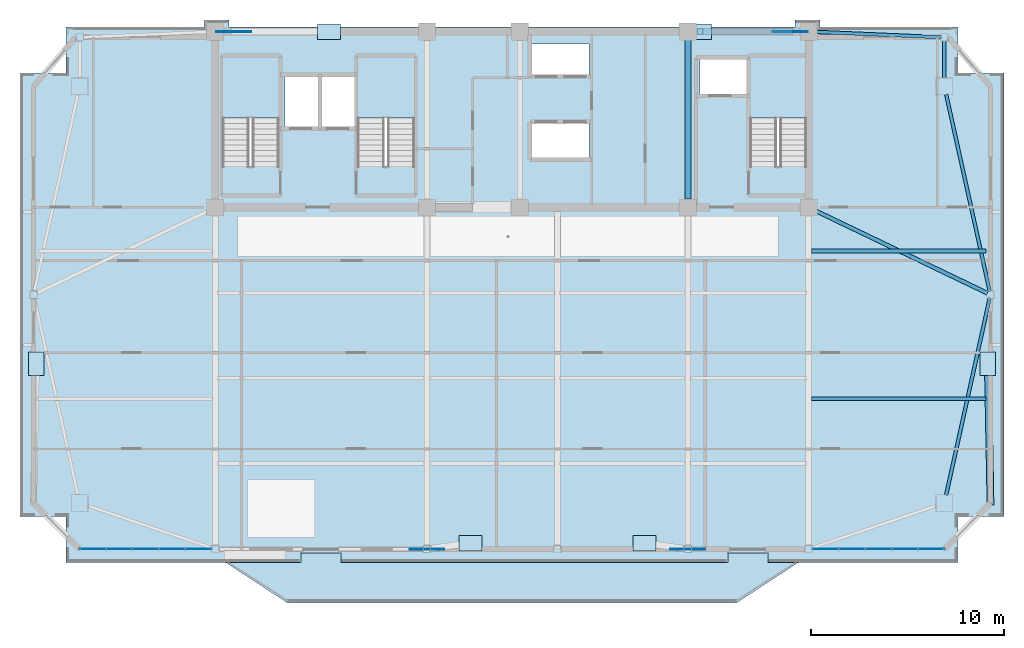
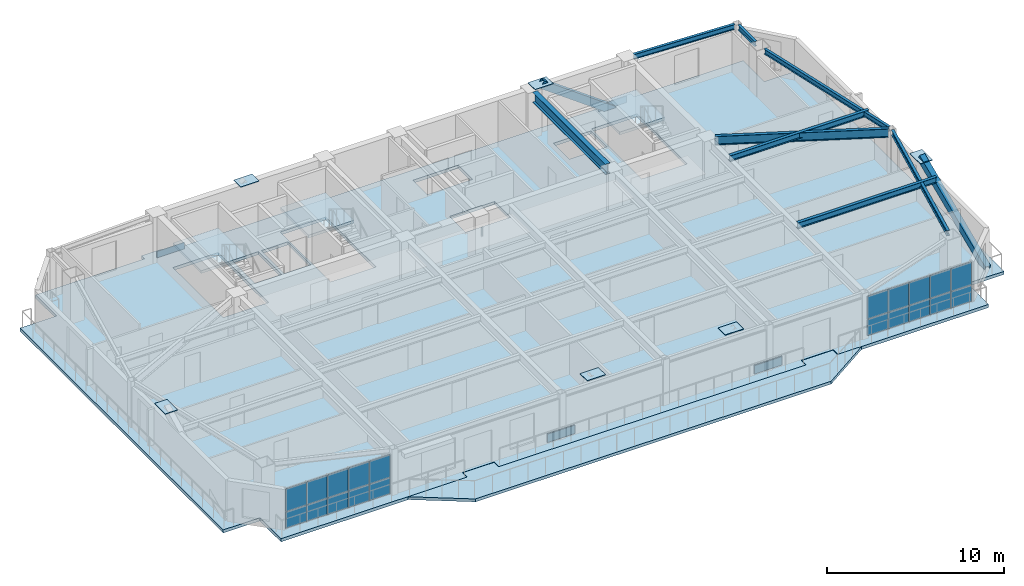
# One storey, part 5 of 13: 30 plates, 8 beams, 5 slabs, 2 members, 5 elements without a shape of their own.
"""IFC4 building model written with IfcOpenShell, lengths in metres."""

from ifc_helpers import new_model, si_unit, direction, frame, origin, origin_2d, place, context, subcontext, project, spatial, polyline, rectangle, hollow_rectangle, i_section, outline, extrude, source, transform, mapped, material, layer, layer_set, material_profile, profile_set, type_object, element, aggregate, save


model = new_model("IFC4")

# Units and contexts
model_context = context("Model", 3, precision=1e-05, world=origin(), true_north=direction((0.0, 1.0)))
body_context = subcontext(model_context, "Body", "Model", "MODEL_VIEW")
ifc_project = project(units=[si_unit("LENGTHUNIT", "METRE"), si_unit("AREAUNIT", "SQUARE_METRE"), si_unit("VOLUMEUNIT", "CUBIC_METRE"), si_unit("PLANEANGLEUNIT", "RADIAN"), si_unit("MASSUNIT", "GRAM", prefix="KILO")], contexts=[model_context])

# Site, building, storey
site_placement = place(None, origin())
site = spatial("IfcSite", under=ifc_project, at=site_placement, CompositionType="ELEMENT")
building_placement = place(site_placement, origin())
building = spatial("IfcBuilding", under=site, at=building_placement, Name="Giltprow Tower", CompositionType="ELEMENT")
storey_placement = place(building_placement, frame((0.0, 0.0, 304.0)))
storey = spatial("IfcBuildingStorey", under=building, at=storey_placement, Name="L78", CompositionType="ELEMENT", Elevation=304.0)

# Beams
ifc_material_1 = material(Name="Structural steel Q355B", Category="steel")
ifc_material_profile_1 = material_profile(ifc_material_1, i_section(OverallWidth=0.300048828125, OverallDepth=0.699951171875, WebThickness=0.012939453125, FlangeThickness=0.02392578125, at=origin_2d()), Name="HN 700x300x13x24")
ifc_profile_set_1 = profile_set([ifc_material_profile_1], Name="Structural steel Q355B")
beam_type_1 = type_object("IfcBeamType", Name="BM-GIRD-HN700", PredefinedType="BEAM", material=ifc_profile_set_1)
shared_shape_1 = source(origin(), body_context, "Body", "SweptSolid", [
    extrude(i_section(OverallWidth=0.300048828125, OverallDepth=0.699951171875, WebThickness=0.012939453125, FlangeThickness=0.02392578125, at=origin_2d()), origin(), (0.0, 0.0, 1.0), 8.22998046875),
])
beam_1_placement = place(storey_placement, frame((44.300048828125, 37.885009765625, 2.8349609375), z_axis=(0.0, 1.0, 0.0), x_axis=(-1.0, 0.0, 0.0)))
element("IfcBeam", 1, at=beam_1_placement, inside=storey, type_object=beam_type_1, Name="L78 Core Tie Girder M3", PredefinedType="BEAM", context=body_context, shape_type="MappedRepresentation", body=[
    mapped(shared_shape_1, transform((0.0, 0.0, 0.0), x_axis=(1.0, 0.0, 0.0), y_axis=(0.0, 1.0, 0.0), z_axis=(0.0, 0.0, 1.0), scale=1.0)),
])
ifc_material_profile_2 = material_profile(ifc_material_1, i_section(OverallWidth=0.199951171875, OverallDepth=0.39990234375, WebThickness=0.008056640625, FlangeThickness=0.012939453125, at=origin_2d()), Name="HN 400x200x8x13")
ifc_profile_set_2 = profile_set([ifc_material_profile_2], Name="Structural steel Q355B")
beam_type_2 = type_object("IfcBeamType", Name="BM-JOIST-HN400", PredefinedType="JOIST", material=ifc_profile_set_2)
shared_shape_2 = source(origin(), body_context, "Body", "SweptSolid", [
    extrude(i_section(OverallWidth=0.199951171875, OverallDepth=0.39990234375, WebThickness=0.008056640625, FlangeThickness=0.012939453125, at=origin_2d()), origin(), (0.0, 0.0, 1.0), 9.044921875),
])
for number, where, z_axis, x_axis, name in (
    (2, (50.695068359375, 27.547119140625, 2.985107421875), (1.0, 0.0, 0.0), (0.0, 1.0, 0.0), "L78 East Wing Floor Joist 1"),
    (3, (50.695068359375, 35.193115234375, 2.985107421875), (1.0, 0.0, 0.0), (0.0, 1.0, 0.0), "L78 East Wing Floor Joist 2"),
):
    element("IfcBeam", number, at=place(storey_placement, frame(where, z_axis=z_axis, x_axis=x_axis)), inside=storey, type_object=beam_type_2, Name=name, PredefinedType="JOIST", context=body_context, shape_type="MappedRepresentation", body=[
        mapped(shared_shape_2, transform((0.0, 0.0, 0.0), x_axis=(1.0, 0.0, 0.0), y_axis=(0.0, 1.0, 0.0), z_axis=(0.0, 0.0, 1.0), scale=1.0)),
    ])
ifc_material_profile_3 = material_profile(ifc_material_1, i_section(OverallWidth=0.175048828125, OverallDepth=0.35009765625, WebThickness=0.007080078125, FlangeThickness=0.010986328125, at=origin_2d()), Name="HN 350x175x7x11")
ifc_profile_set_3 = profile_set([ifc_material_profile_3], Name="Structural steel Q355B")
beam_type_3 = type_object("IfcBeamType", Name="BM-SPAN-HN350", PredefinedType="SPANDREL", material=ifc_profile_set_3)
shared_shape_3 = source(origin(), body_context, "Body", "SweptSolid", [
    extrude(i_section(OverallWidth=0.175048828125, OverallDepth=0.35009765625, WebThickness=0.007080078125, FlangeThickness=0.010986328125, at=origin_2d()), origin(), (0.0, 0.0, 1.0), 10.4189453125),
])
beam_2_placement = place(storey_placement, frame((57.6689453125, 22.58203125, 3.010009765625), z_axis=(0.216047103841, 0.976382941741, 0.0), x_axis=(-0.976382941741, 0.216047103841, 0.0)))
element("IfcBeam", 4, at=beam_2_placement, inside=storey, type_object=beam_type_3, Name="L78 Perimeter Spandrel Beam MC_SE-E_MID", PredefinedType="SPANDREL", context=body_context, shape_type="MappedRepresentation", body=[
    mapped(shared_shape_3, transform((0.0, 0.0, 0.0), x_axis=(1.0, 0.0, 0.0), y_axis=(0.0, 1.0, 0.0), z_axis=(0.0, 0.0, 1.0), scale=1.0)),
])
shared_shape_4 = source(origin(), body_context, "Body", "SweptSolid", [
    extrude(i_section(OverallWidth=0.175048828125, OverallDepth=0.35009765625, WebThickness=0.007080078125, FlangeThickness=0.010986328125, at=origin_2d()), origin(), (0.0, 0.0, 1.0), 10.419189453125),
])
beam_3_placement = place(storey_placement, frame((59.919921875, 33.116943359375, 3.010009765625), z_axis=(-0.216042161002, 0.976384035444, 0.0), x_axis=(-0.976384035444, -0.216042161002, 0.0)))
element("IfcBeam", 5, at=beam_3_placement, inside=storey, type_object=beam_type_3, Name="L78 Perimeter Spandrel Beam E_MID-MC_NE", PredefinedType="SPANDREL", context=body_context, shape_type="MappedRepresentation", body=[
    mapped(shared_shape_4, transform((0.0, 0.0, 0.0), x_axis=(1.0, 0.0, 0.0), y_axis=(0.0, 1.0, 0.0), z_axis=(0.0, 0.0, 1.0), scale=1.0)),
])
shared_shape_5 = source(origin(), body_context, "Body", "SweptSolid", [
    extrude(i_section(OverallWidth=0.175048828125, OverallDepth=0.35009765625, WebThickness=0.007080078125, FlangeThickness=0.010986328125, at=origin_2d()), origin(), (0.0, 0.0, 1.0), 1.9150390625),
])
beam_4_placement = place(storey_placement, frame((57.574951171875, 44.14990234375, 3.010009765625), z_axis=(0.0, 1.0, 0.0), x_axis=(-1.0, 0.0, 0.0)))
element("IfcBeam", 6, at=beam_4_placement, inside=storey, type_object=beam_type_3, Name="L78 Perimeter Spandrel Beam MC_NE-N_E", PredefinedType="SPANDREL", context=body_context, shape_type="MappedRepresentation", body=[
    mapped(shared_shape_5, transform((0.0, 0.0, 0.0), x_axis=(1.0, 0.0, 0.0), y_axis=(0.0, 1.0, 0.0), z_axis=(0.0, 0.0, 1.0), scale=1.0)),
])
shared_shape_6 = source(origin(), body_context, "Body", "SweptSolid", [
    extrude(i_section(OverallWidth=0.175048828125, OverallDepth=0.35009765625, WebThickness=0.007080078125, FlangeThickness=0.010986328125, at=origin_2d()), origin(), (0.0, 0.0, 1.0), 6.41064453125),
])
beam_5_placement = place(storey_placement, frame((50.985107421875, 46.531005859375, 3.010009765625), z_axis=(0.99909315406, -0.042577805376, 0.0), x_axis=(0.042577805376, 0.99909315406, 0.0)))
element("IfcBeam", 7, at=beam_5_placement, inside=storey, type_object=beam_type_3, Name="L78 North Wing Spandrel E", PredefinedType="SPANDREL", context=body_context, shape_type="MappedRepresentation", body=[
    mapped(shared_shape_6, transform((0.0, 0.0, 0.0), x_axis=(1.0, 0.0, 0.0), y_axis=(0.0, 1.0, 0.0), z_axis=(0.0, 0.0, 1.0), scale=1.0)),
])
ifc_material_profile_4 = material_profile(ifc_material_1, i_section(OverallWidth=0.199951171875, OverallDepth=0.60009765625, WebThickness=0.010986328125, FlangeThickness=0.01708984375, at=origin_2d()), Name="HN 600x200x11x17")
ifc_profile_set_4 = profile_set([ifc_material_profile_4], Name="Structural steel Q355B")
beam_type_4 = type_object("IfcBeamType", Name="BM-GIRD-HN600", PredefinedType="BEAM", material=ifc_profile_set_4)
shared_shape_7 = source(origin(), body_context, "Body", "SweptSolid", [
    extrude(i_section(OverallWidth=0.199951171875, OverallDepth=0.60009765625, WebThickness=0.010986328125, FlangeThickness=0.01708984375, at=origin_2d()), origin(), (0.0, 0.0, 1.0), 9.816650390625),
])
beam_6_placement = place(storey_placement, frame((59.79296875, 33.01611328125, 2.885009765625), z_axis=(-0.901628977648, 0.432510331281, 0.0), x_axis=(-0.432510331281, -0.901628977648, 0.0)))
element("IfcBeam", 8, at=beam_6_placement, inside=storey, type_object=beam_type_4, Name="L78 East Wing Primary Girder", PredefinedType="BEAM", context=body_context, shape_type="MappedRepresentation", body=[
    mapped(shared_shape_7, transform((0.0, 0.0, 0.0), x_axis=(1.0, 0.0, 0.0), y_axis=(0.0, 1.0, 0.0), z_axis=(0.0, 0.0, 1.0), scale=1.0)),
])

# Members
ifc_material_2 = material(Name="Structural steel Q420GJC", Category="steel")
ifc_material_profile_5 = material_profile(ifc_material_2, hollow_rectangle(XDim=0.35009765625, YDim=0.5, WallThickness=0.02392578125, at=origin_2d()), Name="RHS 500x350x24")
ifc_profile_set_5 = profile_set([ifc_material_profile_5], Name="Structural steel Q420GJC")
member_type = type_object("IfcMemberType", Name="MBR-MEGA-RHS500", PredefinedType="BRACE", material=ifc_profile_set_5)
shared_shape_8 = source(origin(), body_context, "Body", "SweptSolid", [
    extrude(hollow_rectangle(XDim=0.35009765625, YDim=0.5, WallThickness=0.02392578125, at=origin_2d()), origin(), (0.0, 0.0, 1.0), 5.774169921875),
])
member_1_placement = place(storey_placement, frame((49.60009765625, 46.550048828125, -0.139892578125), z_axis=(-0.808264093398, 0.0, 0.588820138348), x_axis=(0.0, -1.0, 0.0)))
element("IfcMember", 9, at=member_1_placement, inside=storey, type_object=member_type, Name="L78 Chevron Mega-Brace N-R", PredefinedType="BRACE", context=body_context, shape_type="MappedRepresentation", body=[
    mapped(shared_shape_8, transform((0.0, 0.0, 0.0), x_axis=(1.0, 0.0, 0.0), y_axis=(0.0, 1.0, 0.0), z_axis=(0.0, 0.0, 1.0), scale=1.0)),
])
shared_shape_9 = source(origin(), body_context, "Body", "SweptSolid", [
    extrude(hollow_rectangle(XDim=0.35009765625, YDim=0.5, WallThickness=0.02392578125, at=origin_2d()), origin(), (0.0, 0.0, 1.0), 7.96533203125),
])
member_2_placement = place(storey_placement, frame((59.9599609375, 22.156982421875, 0.0), z_axis=(-0.017317575888, 0.90416136483, 0.426839932426), x_axis=(-0.999816628075, -0.019149679476, 0.0)))
element("IfcMember", 10, at=member_2_placement, inside=storey, type_object=member_type, Name="L78 Chevron Mega-Brace E-D", PredefinedType="BRACE", context=body_context, shape_type="MappedRepresentation", body=[
    mapped(shared_shape_9, transform((0.0, 0.0, 0.0), x_axis=(1.0, 0.0, 0.0), y_axis=(0.0, 1.0, 0.0), z_axis=(0.0, 0.0, 1.0), scale=1.0)),
])

# Slabs
ifc_material_3 = material(Name="Concrete C40", Category="concrete")
ifc_layer_1 = layer(ifc_material_3, 0.199951171875, Name="Concrete C40")
ifc_layer_set_1 = layer_set([ifc_layer_1], Name="Concrete C40")
slab_type_1 = type_object("IfcSlabType", Name="SLB-BALC-BRONZE-200", PredefinedType="FLOOR", material=ifc_layer_set_1)
slab_1_placement = place(storey_placement, frame((0.0, 0.0, -0.199951171875)))
element("IfcSlab", 11, at=slab_1_placement, inside=storey, type_object=slab_type_1, Name="L78 Bronze Prow Waterfront Balcony Slab", PredefinedType="FLOOR", context=body_context, shape_type="SweptSolid", body=[
    extrude(outline(polyline([(50.0, 19.072021484375), (46.800048828125, 16.971923828125), (23.60009765625, 16.971923828125), (20.39990234375, 19.072021484375), (24.280029296875, 19.072021484375), (24.280029296875, 19.572021484375), (26.320068359375, 19.572021484375), (26.320068359375, 19.072021484375), (46.3798828125, 19.072021484375), (46.3798828125, 19.572021484375), (48.419921875, 19.572021484375), (48.419921875, 19.072021484375), (50.0, 19.072021484375)])), origin(), (0.0, 0.0, 1.0), 0.199951171875),
])
ifc_layer_2 = layer(ifc_material_3, 0.215087890625, Name="Concrete C40")
ifc_layer_set_2 = layer_set([ifc_layer_2], Name="Concrete C40")
slab_type_2 = type_object("IfcSlabType", Name="SLB-RES-215", PredefinedType="FLOOR", material=ifc_layer_set_2)
slab_2_placement = place(storey_placement, frame((0.0, 0.0, -0.215087890625)))
element("IfcSlab", 12, at=slab_2_placement, inside=storey, type_object=slab_type_2, Name="L78 Structural Composite Floor Slab", PredefinedType="FLOOR", context=body_context, shape_type="SweptSolid", body=[
    extrude(outline(polyline([(60.659912109375, 44.4150390625), (60.659912109375, 21.45703125), (58.27587890625, 21.45703125), (58.27587890625, 19.072021484375), (48.449951171875, 19.072021484375), (48.449951171875, 19.592041015625), (46.35009765625, 19.592041015625), (46.35009765625, 19.072021484375), (26.35009765625, 19.072021484375), (26.35009765625, 19.592041015625), (24.25, 19.592041015625), (24.25, 19.072021484375), (12.125, 19.072021484375), (12.125, 21.45703125), (9.739990234375, 21.45703125), (9.739990234375, 44.4150390625), (12.125, 44.4150390625), (12.125, 46.800048828125), (19.25, 46.800048828125), (19.25, 47.14990234375), (20.550048828125, 47.14990234375), (20.550048828125, 46.800048828125), (49.85009765625, 46.800048828125), (49.85009765625, 47.14990234375), (51.14990234375, 47.14990234375), (51.14990234375, 46.800048828125), (58.27587890625, 46.800048828125), (58.27587890625, 44.4150390625), (60.659912109375, 44.4150390625)]), holes=[polyline([(39.18994140625, 41.800048828125), (36.239990234375, 41.800048828125), (36.239990234375, 40.0), (39.18994140625, 40.0), (39.18994140625, 41.800048828125)]), polyline([(23.159912109375, 39.570068359375), (23.159912109375, 45.25), (20.199951171875, 45.25), (20.199951171875, 39.570068359375), (23.159912109375, 39.570068359375)]), polyline([(30.159912109375, 39.570068359375), (30.159912109375, 45.25), (27.199951171875, 45.25), (27.199951171875, 39.570068359375), (30.159912109375, 39.570068359375)]), polyline([(50.4599609375, 45.25), (47.5, 45.25), (47.5, 39.570068359375), (50.4599609375, 39.570068359375), (50.4599609375, 45.25)]), polyline([(25.169921875, 44.199951171875), (23.449951171875, 44.199951171875), (23.449951171875, 41.60009765625), (25.169921875, 41.60009765625), (25.169921875, 44.199951171875)]), polyline([(27.10009765625, 44.199951171875), (25.35009765625, 44.199951171875), (25.35009765625, 41.60009765625), (27.10009765625, 41.60009765625), (27.10009765625, 44.199951171875)]), polyline([(47.3798828125, 43.300048828125), (47.3798828125, 45.10009765625), (44.919921875, 45.10009765625), (44.919921875, 43.300048828125), (47.3798828125, 43.300048828125)]), polyline([(39.18994140625, 44.300048828125), (39.18994140625, 45.919921875), (36.239990234375, 45.919921875), (36.239990234375, 44.300048828125), (39.18994140625, 44.300048828125)])]), origin(), (0.0, 0.0, 1.0), 0.215087890625),
])

# Stair, slab
stair_type_1 = type_object("IfcStairType", Name="STR-ST-1", PredefinedType="HALF_TURN_STAIR", material=ifc_material_3)
stair_1_placement = place(storey_placement, origin())
stair_1 = element("IfcStair", 13, at=stair_1_placement, inside=storey, type_object=stair_type_1, Name="L78 Core Exit Stair ST-1", PredefinedType="HALF_TURN_STAIR")
ifc_layer_3 = layer(ifc_material_3, 0.179931640625, Name="Concrete C40")
ifc_layer_set_3 = layer_set([ifc_layer_3], Name="Concrete C40")
slab_type_3 = type_object("IfcSlabType", Name="SLD-ST-1", PredefinedType="LANDING", material=ifc_layer_set_3)
slab_3_placement = place(storey_placement, frame((0.0, 0.0, 1.52001953125)))
slab_3 = element("IfcSlab", 14, at=slab_3_placement, type_object=slab_type_3, Name="ST-1 landing 1", PredefinedType="LANDING", context=body_context, shape_type="SweptSolid", body=[
    extrude(outline(polyline([(23.159912109375, 42.070068359375), (23.159912109375, 45.25), (20.199951171875, 45.25), (20.199951171875, 42.070068359375), (23.159912109375, 42.070068359375)])), origin(), (0.0, 0.0, 1.0), 0.179931640625),
])
aggregate(stair_1, [slab_3])

stair_type_2 = type_object("IfcStairType", Name="STR-ST-2", PredefinedType="HALF_TURN_STAIR", material=ifc_material_3)
stair_2_placement = place(storey_placement, origin())
stair_2 = element("IfcStair", 15, at=stair_2_placement, inside=storey, type_object=stair_type_2, Name="L78 Core Exit Stair ST-2", PredefinedType="HALF_TURN_STAIR")
ifc_layer_4 = layer(ifc_material_3, 0.18798828125, Name="Concrete C40")
ifc_layer_set_4 = layer_set([ifc_layer_4], Name="Concrete C40")
slab_type_4 = type_object("IfcSlabType", Name="SLD-ST-2", PredefinedType="LANDING", material=ifc_layer_set_4)
slab_4_placement = place(storey_placement, frame((0.0, 0.0, 1.511962890625)))
slab_4 = element("IfcSlab", 16, at=slab_4_placement, type_object=slab_type_4, Name="ST-2 landing 1", PredefinedType="LANDING", context=body_context, shape_type="SweptSolid", body=[
    extrude(outline(polyline([(30.159912109375, 42.070068359375), (30.159912109375, 45.25), (27.199951171875, 45.25), (27.199951171875, 42.070068359375), (30.159912109375, 42.070068359375)])), origin(), (0.0, 0.0, 1.0), 0.18798828125),
])
aggregate(stair_2, [slab_4])

stair_type_3 = type_object("IfcStairType", Name="STR-ST-3", PredefinedType="HALF_TURN_STAIR", material=ifc_material_3)
stair_3_placement = place(storey_placement, origin())
stair_3 = element("IfcStair", 17, at=stair_3_placement, inside=storey, type_object=stair_type_3, Name="L78 Core Exit Stair ST-3", PredefinedType="HALF_TURN_STAIR")
ifc_layer_5 = layer(ifc_material_3, 0.196044921875, Name="Concrete C40")
ifc_layer_set_5 = layer_set([ifc_layer_5], Name="Concrete C40")
slab_type_5 = type_object("IfcSlabType", Name="SLD-ST-3", PredefinedType="LANDING", material=ifc_layer_set_5)
slab_5_placement = place(storey_placement, frame((0.0, 0.0, 1.50390625)))
slab_5 = element("IfcSlab", 18, at=slab_5_placement, type_object=slab_type_5, Name="ST-3 landing 1", PredefinedType="LANDING", context=body_context, shape_type="SweptSolid", body=[
    extrude(outline(polyline([(50.4599609375, 42.070068359375), (50.4599609375, 45.25), (47.5, 45.25), (47.5, 42.070068359375), (50.4599609375, 42.070068359375)])), origin(), (0.0, 0.0, 1.0), 0.196044921875),
])
aggregate(stair_3, [slab_5])

# Plates
plate_type_1 = type_object("IfcPlateType", Name="PLT-NODE-MBN1", PredefinedType="USERDEFINED", material=ifc_material_2)
shared_shape_10 = source(origin(), body_context, "Body", "SweptSolid", [
    extrude(rectangle(XDim=1.800048828125, YDim=0.050048828125, at=origin_2d()), origin(), (0.0, 0.0, 1.0), 1.14990234375),
])
for number, where, z_axis, x_axis, name in (
    (19, (30.800048828125, 19.77197265625, -0.574951171875), (0.0, 0.0, 1.0), (1.0, 0.0, 0.0), "Mega-Brace Node L78-S-LA"),
    (20, (44.300048828125, 19.77197265625, -0.574951171875), (0.0, 0.0, 1.0), (1.0, 0.0, 0.0), "Mega-Brace Node L78-S-RA"),
    (21, (20.800048828125, 46.550048828125, -0.71484375), (0.0, 0.0, 1.0), (1.0, 0.0, 0.0), "Mega-Brace Node L78-N-LA"),
    (22, (49.60009765625, 46.550048828125, -0.71484375), (0.0, 0.0, 1.0), (1.0, 0.0, 0.0), "Mega-Brace Node L78-N-RA"),
):
    element("IfcPlate", number, at=place(storey_placement, frame(where, z_axis=z_axis, x_axis=x_axis)), inside=storey, type_object=plate_type_1, Name=name, ObjectType="GUSSET", PredefinedType="USERDEFINED", context=body_context, shape_type="MappedRepresentation", body=[
        mapped(shared_shape_10, transform((0.0, 0.0, 0.0), x_axis=(1.0, 0.0, 0.0), y_axis=(0.0, 1.0, 0.0), z_axis=(0.0, 0.0, 1.0), scale=1.0)),
    ])
plate_type_2 = type_object("IfcPlateType", Name="PLT-CAP-SEAL", PredefinedType="USERDEFINED", material=ifc_material_2)
shared_shape_11 = source(origin(), body_context, "Body", "SweptSolid", [
    extrude(rectangle(XDim=1.199951171875, YDim=0.800048828125, at=origin_2d()), origin(), (0.0, 0.0, 1.0), 0.034912109375),
])
for number, where, z_axis, x_axis, name in (
    (23, (33.050048828125, 20.0830078125, 3.38232421875), (0.0, 0.0, 1.0), (1.0, 0.0, 0.0), "Mega-Brace Node L78-S-LB"),
    (24, (42.050048828125, 20.0830078125, 3.38232421875), (0.0, 0.0, 1.0), (1.0, 0.0, 0.0), "Mega-Brace Node L78-S-RB"),
    (25, (25.73291015625, 46.550048828125, 3.24267578125), (0.0, 0.0, 1.0), (1.0, 0.0, 0.0), "Mega-Brace Node L78-N-LB"),
    (26, (44.93310546875, 46.550048828125, 3.24267578125), (0.0, 0.0, 1.0), (1.0, 0.0, 0.0), "Mega-Brace Node L78-N-RB"),
    (27, (10.577880859375, 29.35888671875, 3.38232421875), (0.0, 0.0, 1.0), (0.0, 1.0, 0.0), "Mega-Brace Node L78-W-DB"),
    (28, (59.822021484375, 29.35888671875, 3.38232421875), (0.0, 0.0, 1.0), (0.0, 1.0, 0.0), "Mega-Brace Node L78-E-DB"),
):
    element("IfcPlate", number, at=place(storey_placement, frame(where, z_axis=z_axis, x_axis=x_axis)), inside=storey, type_object=plate_type_2, Name=name, ObjectType="SPLICE", PredefinedType="USERDEFINED", context=body_context, shape_type="MappedRepresentation", body=[
        mapped(shared_shape_11, transform((0.0, 0.0, 0.0), x_axis=(1.0, 0.0, 0.0), y_axis=(0.0, 1.0, 0.0), z_axis=(0.0, 0.0, 1.0), scale=1.0)),
    ])

# Curtain wall, plates
ifc_material_4 = material(Name="Anodized bronze", Category="metal")
ifc_layer_6 = layer(ifc_material_4, 0.179931640625, Name="Anodized bronze")
ifc_layer_set_6 = layer_set([ifc_layer_6], Name="Anodized bronze")
curtain_wall_type = type_object("IfcCurtainWallType", Name="CW-RES-SKY", PredefinedType="NOTDEFINED", material=ifc_layer_set_6)
curtain_wall_1_placement = place(storey_placement, origin())
curtain_wall_1 = element("IfcCurtainWall", 29, at=curtain_wall_1_placement, inside=storey, type_object=curtain_wall_type, Name="L78 South Recessed Curtain Wall 1", PredefinedType="NOTDEFINED")
ifc_material_5 = material(Name="Insulated glass", Category="glass")
plate_type_3 = type_object("IfcPlateType", Name="CW-PANEL-IGU-28", PredefinedType="CURTAIN_PANEL", material=ifc_material_5)
shared_shape_12 = source(origin(), body_context, "Body", "SweptSolid", [
    extrude(rectangle(XDim=1.3349609375, YDim=0.028076171875, at=origin_2d()), origin(), (0.0, 0.0, 1.0), 1.114013671875),
])
plate_1_placement = place(storey_placement, frame((13.507080078125, 19.77197265625, 0.05419921875), z_axis=(0.0, 0.0, 1.0), x_axis=(1.0, 0.0, 0.0)))
plate_1 = element("IfcPlate", 30, at=plate_1_placement, type_object=plate_type_3, Name="L78 South Recessed Curtain Wall 1 Glazing Panel 1-1", PredefinedType="CURTAIN_PANEL", context=body_context, shape_type="MappedRepresentation", body=[
    mapped(shared_shape_12, transform((0.0, 0.0, 0.0), x_axis=(1.0, 0.0, 0.0), y_axis=(0.0, 1.0, 0.0), z_axis=(0.0, 0.0, 1.0), scale=1.0)),
])
plate_2_placement = place(storey_placement, frame((14.8720703125, 19.77197265625, 0.05419921875), z_axis=(0.0, 0.0, 1.0), x_axis=(1.0, 0.0, 0.0)))
plate_2 = element("IfcPlate", 31, at=plate_2_placement, type_object=plate_type_3, Name="L78 South Recessed Curtain Wall 1 Glazing Panel 2-1", PredefinedType="CURTAIN_PANEL", context=body_context, shape_type="MappedRepresentation", body=[
    mapped(shared_shape_12, transform((0.0, 0.0, 0.0), x_axis=(1.0, 0.0, 0.0), y_axis=(0.0, 1.0, 0.0), z_axis=(0.0, 0.0, 1.0), scale=1.0)),
])
plate_3_placement = place(storey_placement, frame((16.237060546875, 19.77197265625, 0.05419921875), z_axis=(0.0, 0.0, 1.0), x_axis=(1.0, 0.0, 0.0)))
plate_3 = element("IfcPlate", 32, at=plate_3_placement, type_object=plate_type_3, Name="L78 South Recessed Curtain Wall 1 Glazing Panel 3-1", PredefinedType="CURTAIN_PANEL", context=body_context, shape_type="MappedRepresentation", body=[
    mapped(shared_shape_12, transform((0.0, 0.0, 0.0), x_axis=(1.0, 0.0, 0.0), y_axis=(0.0, 1.0, 0.0), z_axis=(0.0, 0.0, 1.0), scale=1.0)),
])
plate_4_placement = place(storey_placement, frame((17.60205078125, 19.77197265625, 0.05419921875), z_axis=(0.0, 0.0, 1.0), x_axis=(1.0, 0.0, 0.0)))
plate_4 = element("IfcPlate", 33, at=plate_4_placement, type_object=plate_type_3, Name="L78 South Recessed Curtain Wall 1 Glazing Panel 4-1", PredefinedType="CURTAIN_PANEL", context=body_context, shape_type="MappedRepresentation", body=[
    mapped(shared_shape_12, transform((0.0, 0.0, 0.0), x_axis=(1.0, 0.0, 0.0), y_axis=(0.0, 1.0, 0.0), z_axis=(0.0, 0.0, 1.0), scale=1.0)),
])
plate_5_placement = place(storey_placement, frame((18.967041015625, 19.77197265625, 0.05419921875), z_axis=(0.0, 0.0, 1.0), x_axis=(1.0, 0.0, 0.0)))
plate_5 = element("IfcPlate", 34, at=plate_5_placement, type_object=plate_type_3, Name="L78 South Recessed Curtain Wall 1 Glazing Panel 5-1", PredefinedType="CURTAIN_PANEL", context=body_context, shape_type="MappedRepresentation", body=[
    mapped(shared_shape_12, transform((0.0, 0.0, 0.0), x_axis=(1.0, 0.0, 0.0), y_axis=(0.0, 1.0, 0.0), z_axis=(0.0, 0.0, 1.0), scale=1.0)),
])

curtain_wall_2_placement = place(storey_placement, origin())
curtain_wall_2 = element("IfcCurtainWall", 35, at=curtain_wall_2_placement, inside=storey, type_object=curtain_wall_type, Name="L78 South Recessed Curtain Wall 6", PredefinedType="NOTDEFINED")
plate_6_placement = place(storey_placement, frame((51.431884765625, 19.77197265625, 0.05419921875), z_axis=(0.0, 0.0, 1.0), x_axis=(1.0, 0.0, 0.0)))
plate_6 = element("IfcPlate", 36, at=plate_6_placement, type_object=plate_type_3, Name="L78 South Recessed Curtain Wall 6 Glazing Panel 1-1", PredefinedType="CURTAIN_PANEL", context=body_context, shape_type="MappedRepresentation", body=[
    mapped(shared_shape_12, transform((0.0, 0.0, 0.0), x_axis=(1.0, 0.0, 0.0), y_axis=(0.0, 1.0, 0.0), z_axis=(0.0, 0.0, 1.0), scale=1.0)),
])
plate_7_placement = place(storey_placement, frame((52.797119140625, 19.77197265625, 0.05419921875), z_axis=(0.0, 0.0, 1.0), x_axis=(1.0, 0.0, 0.0)))
plate_7 = element("IfcPlate", 37, at=plate_7_placement, type_object=plate_type_3, Name="L78 South Recessed Curtain Wall 6 Glazing Panel 2-1", PredefinedType="CURTAIN_PANEL", context=body_context, shape_type="MappedRepresentation", body=[
    mapped(shared_shape_12, transform((0.0, 0.0, 0.0), x_axis=(1.0, 0.0, 0.0), y_axis=(0.0, 1.0, 0.0), z_axis=(0.0, 0.0, 1.0), scale=1.0)),
])
plate_8_placement = place(storey_placement, frame((54.1630859375, 19.77197265625, 0.05419921875), z_axis=(0.0, 0.0, 1.0), x_axis=(1.0, 0.0, 0.0)))
plate_8 = element("IfcPlate", 38, at=plate_8_placement, type_object=plate_type_3, Name="L78 South Recessed Curtain Wall 6 Glazing Panel 3-1", PredefinedType="CURTAIN_PANEL", context=body_context, shape_type="MappedRepresentation", body=[
    mapped(shared_shape_12, transform((0.0, 0.0, 0.0), x_axis=(1.0, 0.0, 0.0), y_axis=(0.0, 1.0, 0.0), z_axis=(0.0, 0.0, 1.0), scale=1.0)),
])
plate_9_placement = place(storey_placement, frame((55.528076171875, 19.77197265625, 0.05419921875), z_axis=(0.0, 0.0, 1.0), x_axis=(1.0, 0.0, 0.0)))
plate_9 = element("IfcPlate", 39, at=plate_9_placement, type_object=plate_type_3, Name="L78 South Recessed Curtain Wall 6 Glazing Panel 4-1", PredefinedType="CURTAIN_PANEL", context=body_context, shape_type="MappedRepresentation", body=[
    mapped(shared_shape_12, transform((0.0, 0.0, 0.0), x_axis=(1.0, 0.0, 0.0), y_axis=(0.0, 1.0, 0.0), z_axis=(0.0, 0.0, 1.0), scale=1.0)),
])
plate_10_placement = place(storey_placement, frame((56.89306640625, 19.77197265625, 0.05419921875), z_axis=(0.0, 0.0, 1.0), x_axis=(1.0, 0.0, 0.0)))
plate_10 = element("IfcPlate", 40, at=plate_10_placement, type_object=plate_type_3, Name="L78 South Recessed Curtain Wall 6 Glazing Panel 5-1", PredefinedType="CURTAIN_PANEL", context=body_context, shape_type="MappedRepresentation", body=[
    mapped(shared_shape_12, transform((0.0, 0.0, 0.0), x_axis=(1.0, 0.0, 0.0), y_axis=(0.0, 1.0, 0.0), z_axis=(0.0, 0.0, 1.0), scale=1.0)),
])

# Plate
shared_shape_13 = source(origin(), body_context, "Body", "SweptSolid", [
    extrude(rectangle(XDim=1.3349609375, YDim=0.028076171875, at=origin_2d()), origin(), (0.0, 0.0, 1.0), 1.56494140625),
])
plate_11_placement = place(storey_placement, frame((13.507080078125, 19.77197265625, 1.195556640625), z_axis=(0.0, 0.0, 1.0), x_axis=(1.0, 0.0, 0.0)))
plate_11 = element("IfcPlate", 41, at=plate_11_placement, type_object=plate_type_3, Name="L78 South Recessed Curtain Wall 1 Glazing Panel 1-2", PredefinedType="CURTAIN_PANEL", context=body_context, shape_type="MappedRepresentation", body=[
    mapped(shared_shape_13, transform((0.0, 0.0, 0.0), x_axis=(1.0, 0.0, 0.0), y_axis=(0.0, 1.0, 0.0), z_axis=(0.0, 0.0, 1.0), scale=1.0)),
])

plate_12_placement = place(storey_placement, frame((14.8720703125, 19.77197265625, 1.195556640625), z_axis=(0.0, 0.0, 1.0), x_axis=(1.0, 0.0, 0.0)))
plate_12 = element("IfcPlate", 42, at=plate_12_placement, type_object=plate_type_3, Name="L78 South Recessed Curtain Wall 1 Glazing Panel 2-2", PredefinedType="CURTAIN_PANEL", context=body_context, shape_type="MappedRepresentation", body=[
    mapped(shared_shape_13, transform((0.0, 0.0, 0.0), x_axis=(1.0, 0.0, 0.0), y_axis=(0.0, 1.0, 0.0), z_axis=(0.0, 0.0, 1.0), scale=1.0)),
])

plate_13_placement = place(storey_placement, frame((16.237060546875, 19.77197265625, 1.195556640625), z_axis=(0.0, 0.0, 1.0), x_axis=(1.0, 0.0, 0.0)))
plate_13 = element("IfcPlate", 43, at=plate_13_placement, type_object=plate_type_3, Name="L78 South Recessed Curtain Wall 1 Glazing Panel 3-2", PredefinedType="CURTAIN_PANEL", context=body_context, shape_type="MappedRepresentation", body=[
    mapped(shared_shape_13, transform((0.0, 0.0, 0.0), x_axis=(1.0, 0.0, 0.0), y_axis=(0.0, 1.0, 0.0), z_axis=(0.0, 0.0, 1.0), scale=1.0)),
])

plate_14_placement = place(storey_placement, frame((17.60205078125, 19.77197265625, 1.195556640625), z_axis=(0.0, 0.0, 1.0), x_axis=(1.0, 0.0, 0.0)))
plate_14 = element("IfcPlate", 44, at=plate_14_placement, type_object=plate_type_3, Name="L78 South Recessed Curtain Wall 1 Glazing Panel 4-2", PredefinedType="CURTAIN_PANEL", context=body_context, shape_type="MappedRepresentation", body=[
    mapped(shared_shape_13, transform((0.0, 0.0, 0.0), x_axis=(1.0, 0.0, 0.0), y_axis=(0.0, 1.0, 0.0), z_axis=(0.0, 0.0, 1.0), scale=1.0)),
])

plate_15_placement = place(storey_placement, frame((18.967041015625, 19.77197265625, 1.195556640625), z_axis=(0.0, 0.0, 1.0), x_axis=(1.0, 0.0, 0.0)))
plate_15 = element("IfcPlate", 45, at=plate_15_placement, type_object=plate_type_3, Name="L78 South Recessed Curtain Wall 1 Glazing Panel 5-2", PredefinedType="CURTAIN_PANEL", context=body_context, shape_type="MappedRepresentation", body=[
    mapped(shared_shape_13, transform((0.0, 0.0, 0.0), x_axis=(1.0, 0.0, 0.0), y_axis=(0.0, 1.0, 0.0), z_axis=(0.0, 0.0, 1.0), scale=1.0)),
])

aggregate(curtain_wall_1, [plate_1, plate_11, plate_2, plate_12, plate_3, plate_13, plate_4, plate_14, plate_5, plate_15])

plate_16_placement = place(storey_placement, frame((51.431884765625, 19.77197265625, 1.195556640625), z_axis=(0.0, 0.0, 1.0), x_axis=(1.0, 0.0, 0.0)))
plate_16 = element("IfcPlate", 46, at=plate_16_placement, type_object=plate_type_3, Name="L78 South Recessed Curtain Wall 6 Glazing Panel 1-2", PredefinedType="CURTAIN_PANEL", context=body_context, shape_type="MappedRepresentation", body=[
    mapped(shared_shape_13, transform((0.0, 0.0, 0.0), x_axis=(1.0, 0.0, 0.0), y_axis=(0.0, 1.0, 0.0), z_axis=(0.0, 0.0, 1.0), scale=1.0)),
])

plate_17_placement = place(storey_placement, frame((52.797119140625, 19.77197265625, 1.195556640625), z_axis=(0.0, 0.0, 1.0), x_axis=(1.0, 0.0, 0.0)))
plate_17 = element("IfcPlate", 47, at=plate_17_placement, type_object=plate_type_3, Name="L78 South Recessed Curtain Wall 6 Glazing Panel 2-2", PredefinedType="CURTAIN_PANEL", context=body_context, shape_type="MappedRepresentation", body=[
    mapped(shared_shape_13, transform((0.0, 0.0, 0.0), x_axis=(1.0, 0.0, 0.0), y_axis=(0.0, 1.0, 0.0), z_axis=(0.0, 0.0, 1.0), scale=1.0)),
])

plate_18_placement = place(storey_placement, frame((54.1630859375, 19.77197265625, 1.195556640625), z_axis=(0.0, 0.0, 1.0), x_axis=(1.0, 0.0, 0.0)))
plate_18 = element("IfcPlate", 48, at=plate_18_placement, type_object=plate_type_3, Name="L78 South Recessed Curtain Wall 6 Glazing Panel 3-2", PredefinedType="CURTAIN_PANEL", context=body_context, shape_type="MappedRepresentation", body=[
    mapped(shared_shape_13, transform((0.0, 0.0, 0.0), x_axis=(1.0, 0.0, 0.0), y_axis=(0.0, 1.0, 0.0), z_axis=(0.0, 0.0, 1.0), scale=1.0)),
])

plate_19_placement = place(storey_placement, frame((55.528076171875, 19.77197265625, 1.195556640625), z_axis=(0.0, 0.0, 1.0), x_axis=(1.0, 0.0, 0.0)))
plate_19 = element("IfcPlate", 49, at=plate_19_placement, type_object=plate_type_3, Name="L78 South Recessed Curtain Wall 6 Glazing Panel 4-2", PredefinedType="CURTAIN_PANEL", context=body_context, shape_type="MappedRepresentation", body=[
    mapped(shared_shape_13, transform((0.0, 0.0, 0.0), x_axis=(1.0, 0.0, 0.0), y_axis=(0.0, 1.0, 0.0), z_axis=(0.0, 0.0, 1.0), scale=1.0)),
])

plate_20_placement = place(storey_placement, frame((56.89306640625, 19.77197265625, 1.195556640625), z_axis=(0.0, 0.0, 1.0), x_axis=(1.0, 0.0, 0.0)))
plate_20 = element("IfcPlate", 50, at=plate_20_placement, type_object=plate_type_3, Name="L78 South Recessed Curtain Wall 6 Glazing Panel 5-2", PredefinedType="CURTAIN_PANEL", context=body_context, shape_type="MappedRepresentation", body=[
    mapped(shared_shape_13, transform((0.0, 0.0, 0.0), x_axis=(1.0, 0.0, 0.0), y_axis=(0.0, 1.0, 0.0), z_axis=(0.0, 0.0, 1.0), scale=1.0)),
])

aggregate(curtain_wall_2, [plate_6, plate_16, plate_7, plate_17, plate_8, plate_18, plate_9, plate_19, plate_10, plate_20])

save(model, "model.ifc")
